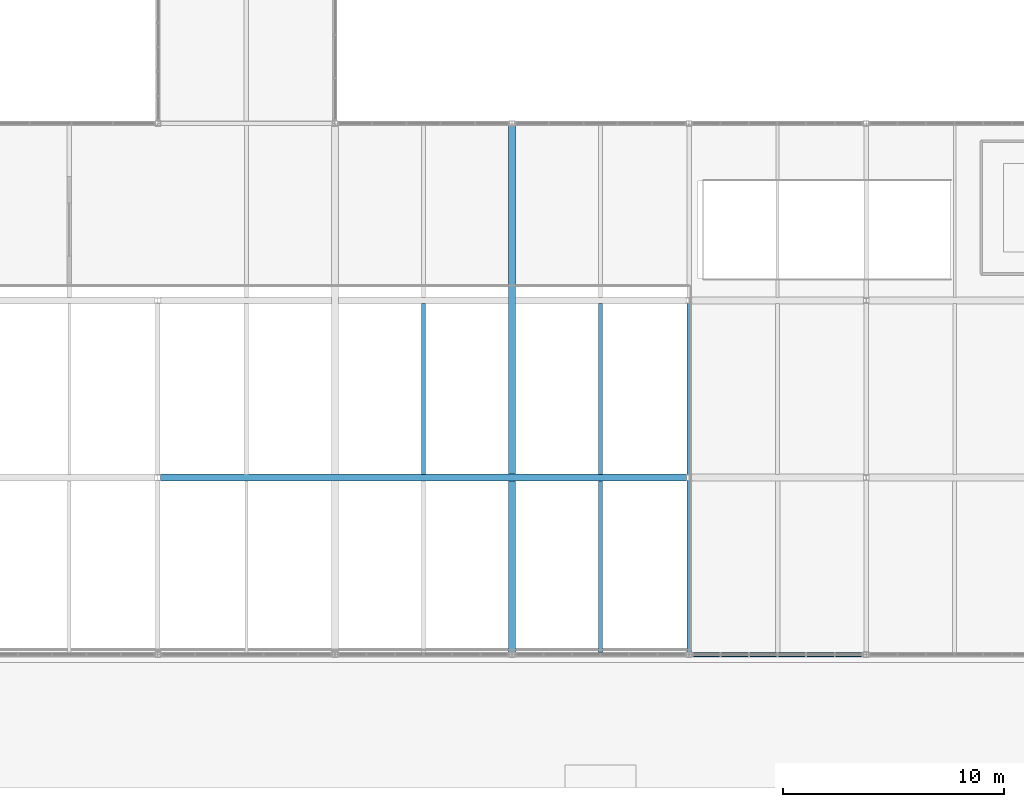
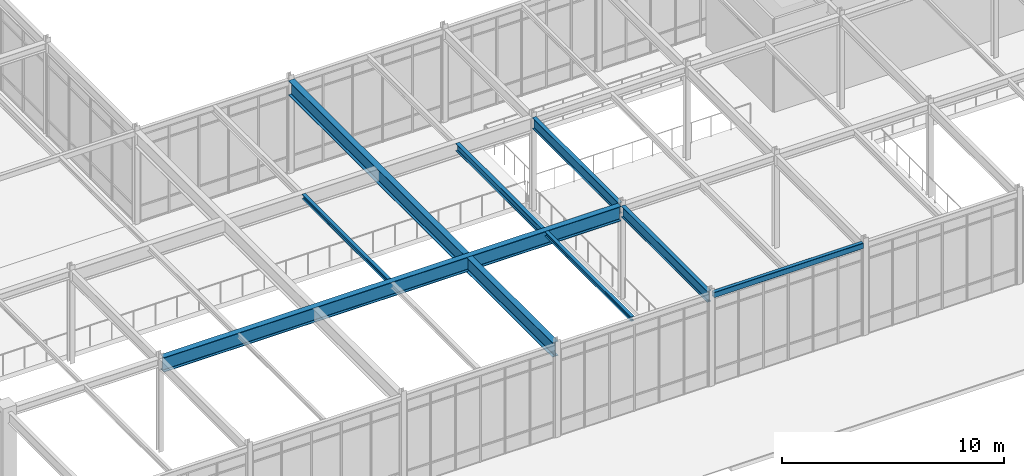
# One storey, part 46 of 184: 8 beams.
"""IFC4 building model written with IfcOpenShell, lengths in metres."""

from ifc_helpers import new_model, si_unit, direction, frame, origin, origin_2d, place, context, subcontext, project, spatial, hollow_rectangle, i_section, extrude, material, material_profile, profile_set, type_object, element, save


model = new_model("IFC4")

# Units and contexts
model_context = context("Model", 3, precision=1e-05, world=origin(), true_north=direction((0.0, 1.0)))
body_context = subcontext(model_context, "Body", "Model", "MODEL_VIEW")
ifc_project = project(units=[si_unit("LENGTHUNIT", "METRE"), si_unit("AREAUNIT", "SQUARE_METRE"), si_unit("VOLUMEUNIT", "CUBIC_METRE"), si_unit("PLANEANGLEUNIT", "RADIAN"), si_unit("MASSUNIT", "GRAM", prefix="KILO")], contexts=[model_context])

# Site, building, storey
site_placement = place(None, origin())
site = spatial("IfcSite", under=ifc_project, at=site_placement, CompositionType="ELEMENT")
building_placement = place(site_placement, origin())
building = spatial("IfcBuilding", under=site, at=building_placement, Name="Zhaolan Boulevard Law Courts", CompositionType="ELEMENT")
storey_placement = place(building_placement, frame((0.0, 0.0, 5.39990234375)))
storey = spatial("IfcBuildingStorey", under=building, at=storey_placement, Name="L01", CompositionType="ELEMENT", Elevation=5.39990234375)

# Beams
ifc_material_1 = material(Name="Structural steel Q355B", Category="steel")
ifc_material_profile_1 = material_profile(ifc_material_1, i_section(OverallWidth=0.199951171875, OverallDepth=0.60009765625, WebThickness=0.010986328125, FlangeThickness=0.01708984375, FilletRadius=0.02001953125, at=origin_2d()), Name="HN600x200")
ifc_profile_set_1 = profile_set([ifc_material_profile_1], Name="Structural steel Q355B")
beam_type_1 = type_object("IfcBeamType", Name="GIRDER HN600", PredefinedType="BEAM", material=ifc_profile_set_1)
for number, where, z_axis, x_axis, name in (
    (1, (76.0, 6.12109375, 4.838134765625), (0.0, 1.0, 0.0), (-1.0, 0.0, 0.0), "Beam BY-L02-10-B-C"),
    (2, (76.0, 14.12109375, 4.838134765625), (0.0, 1.0, 0.0), (-1.0, 0.0, 0.0), "Beam BY-L02-10-C-D"),
):
    element("IfcBeam", number, at=place(storey_placement, frame(where, z_axis=z_axis, x_axis=x_axis)), inside=storey, type_object=beam_type_1, Name=name, PredefinedType="BEAM", context=body_context, shape_type="SweptSolid", body=[
        extrude(i_section(OverallWidth=0.199951171875, OverallDepth=0.60009765625, WebThickness=0.010986328125, FlangeThickness=0.01708984375, FilletRadius=0.02001953125, at=origin_2d()), origin(), (0.0, 0.0, 1.0), 7.7578125),
    ])
ifc_material_2 = material(Name="Structural steel Q390B", Category="steel")
ifc_material_profile_2 = material_profile(ifc_material_2, i_section(OverallWidth=0.300048828125, OverallDepth=0.800048828125, WebThickness=0.013916015625, FlangeThickness=0.02587890625, FilletRadius=0.02392578125, at=origin_2d()), Name="HN800x300")
ifc_profile_set_2 = profile_set([ifc_material_profile_2], Name="Structural steel Q390B")
beam_type_2 = type_object("IfcBeamType", Name="GIRDER HN800", PredefinedType="BEAM", material=ifc_profile_set_2)
for number, where, z_axis, x_axis, name in (
    (3, (52.12109375, 14.0, 4.738037109375), (1.0, 0.0, 0.0), (0.0, 1.0, 0.0), "Beam BX-L02-7-10-C"),
    (4, (68.0, 6.12109375, 4.738037109375), (0.0, 1.0, 0.0), (-1.0, 0.0, 0.0), "Beam BY-L02-9-B-E"),
):
    element("IfcBeam", number, at=place(storey_placement, frame(where, z_axis=z_axis, x_axis=x_axis)), inside=storey, type_object=beam_type_2, Name=name, PredefinedType="BEAM", context=body_context, shape_type="SweptSolid", body=[
        extrude(i_section(OverallWidth=0.300048828125, OverallDepth=0.800048828125, WebThickness=0.013916015625, FlangeThickness=0.02587890625, FilletRadius=0.02392578125, at=origin_2d()), origin(), (0.0, 0.0, 1.0), 23.7578125),
    ])
ifc_material_3 = material(Name="Structural steel Q355B", Category="steel")
ifc_material_profile_3 = material_profile(ifc_material_3, i_section(OverallWidth=0.175048828125, OverallDepth=0.243896484375, WebThickness=0.007080078125, FlangeThickness=0.010986328125, FilletRadius=0.012939453125, at=origin_2d()), Name="HM244x175")
ifc_profile_set_3 = profile_set([ifc_material_profile_3], Name="Structural steel Q355B")
beam_type_3 = type_object("IfcBeamType", Name="JOIST HM244", PredefinedType="JOIST", material=ifc_profile_set_3)
beam_1_placement = place(storey_placement, frame((64.0, 14.14599609375, 5.01611328125), z_axis=(0.0, 1.0, 0.0), x_axis=(-1.0, 0.0, 0.0)))
element("IfcBeam", 5, at=beam_1_placement, inside=storey, type_object=beam_type_3, Name="Composite Joist J-L02-8C", PredefinedType="JOIST", context=body_context, shape_type="SweptSolid", body=[
    extrude(i_section(OverallWidth=0.175048828125, OverallDepth=0.243896484375, WebThickness=0.007080078125, FlangeThickness=0.010986328125, FilletRadius=0.012939453125, at=origin_2d()), origin(), (0.0, 0.0, 1.0), 7.7080078125),
])
beam_2_placement = place(storey_placement, frame((72.0, 6.095947265625, 5.01611328125), z_axis=(0.0, 1.0, 0.0), x_axis=(-1.0, 0.0, 0.0)))
element("IfcBeam", 6, at=beam_2_placement, inside=storey, type_object=beam_type_3, Name="Composite Joist J-L02-9B", PredefinedType="JOIST", context=body_context, shape_type="SweptSolid", body=[
    extrude(i_section(OverallWidth=0.175048828125, OverallDepth=0.243896484375, WebThickness=0.007080078125, FlangeThickness=0.010986328125, FilletRadius=0.012939453125, at=origin_2d()), origin(), (0.0, 0.0, 1.0), 7.758056640625),
])
ifc_material_4 = material(Name="Structural steel Q355B", Category="steel")
ifc_material_profile_4 = material_profile(ifc_material_4, i_section(OverallWidth=0.199951171875, OverallDepth=0.39990234375, WebThickness=0.008056640625, FlangeThickness=0.012939453125, FilletRadius=0.013916015625, at=origin_2d()), Name="HN400x200")
ifc_profile_set_4 = profile_set([ifc_material_profile_4], Name="Structural steel Q355B")
beam_type_4 = type_object("IfcBeamType", Name="JOIST HN400", PredefinedType="JOIST", material=ifc_profile_set_4)
beam_3_placement = place(storey_placement, frame((72.0, 14.14599609375, 4.93798828125), z_axis=(0.0, 1.0, 0.0), x_axis=(-1.0, 0.0, 0.0)))
element("IfcBeam", 7, at=beam_3_placement, inside=storey, type_object=beam_type_4, Name="Composite Joist J-L02-9C", PredefinedType="JOIST", context=body_context, shape_type="SweptSolid", body=[
    extrude(i_section(OverallWidth=0.199951171875, OverallDepth=0.39990234375, WebThickness=0.008056640625, FlangeThickness=0.012939453125, FilletRadius=0.013916015625, at=origin_2d()), origin(), (0.0, 0.0, 1.0), 7.7080078125),
])
ifc_material_5 = material(Name="Structural steel Q355B", Category="steel")
ifc_material_profile_5 = material_profile(ifc_material_5, hollow_rectangle(XDim=0.199951171875, YDim=0.300048828125, WallThickness=0.011962890625, InnerFilletRadius=0.011962890625, OuterFilletRadius=0.02392578125, at=origin_2d()), Name="HSS300x200x12")
ifc_profile_set_5 = profile_set([ifc_material_profile_5], Name="Structural steel Q355B")
beam_type_5 = type_object("IfcBeamType", Name="SPANDREL HSS300", PredefinedType="SPANDREL", material=ifc_profile_set_5)
beam_4_placement = place(storey_placement, frame((76.12109375, 6.0, 4.988037109375), z_axis=(1.0, 0.0, 0.0), x_axis=(0.0, 1.0, 0.0)))
element("IfcBeam", 8, at=beam_4_placement, inside=storey, type_object=beam_type_5, Name="Beam BX-L02-10-11-B", PredefinedType="SPANDREL", context=body_context, shape_type="SweptSolid", body=[
    extrude(hollow_rectangle(XDim=0.199951171875, YDim=0.300048828125, WallThickness=0.011962890625, InnerFilletRadius=0.011962890625, OuterFilletRadius=0.02392578125, at=origin_2d()), origin(), (0.0, 0.0, 1.0), 7.7578125),
])

save(model, "model.ifc")
